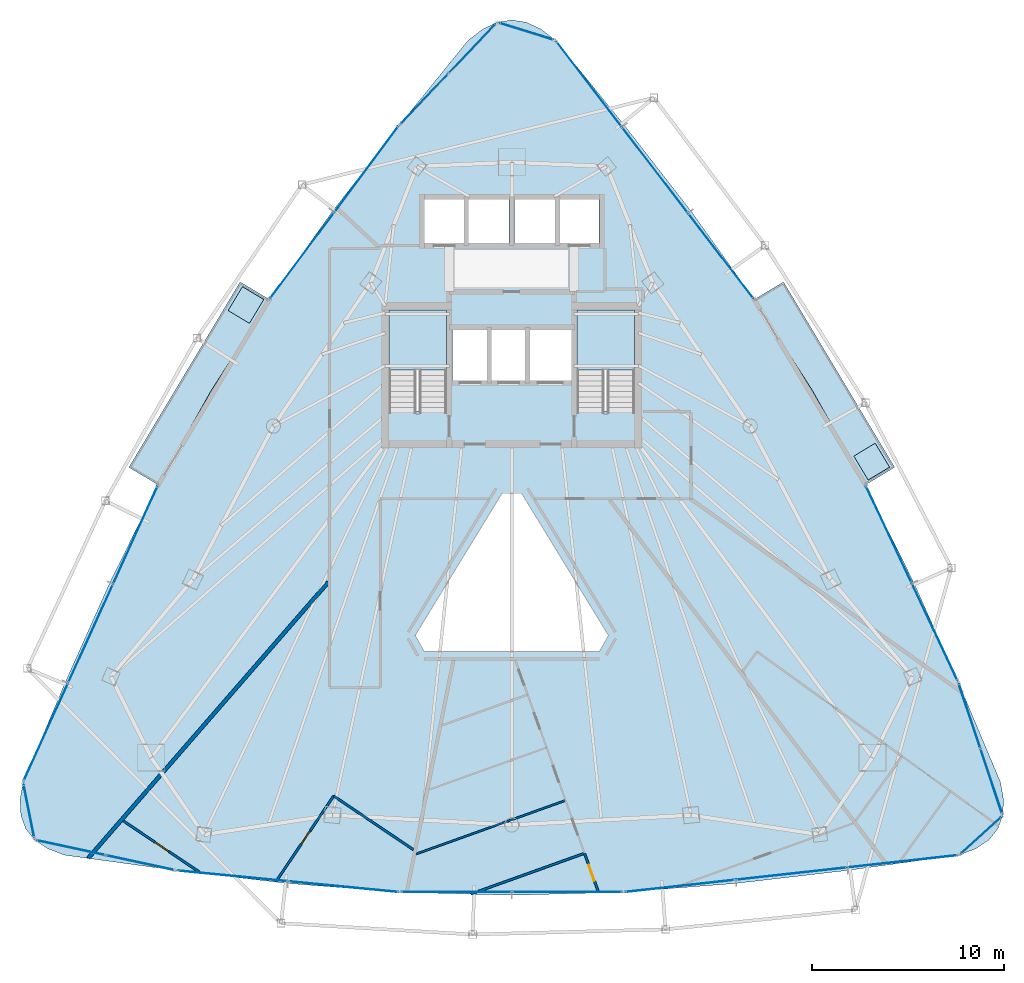
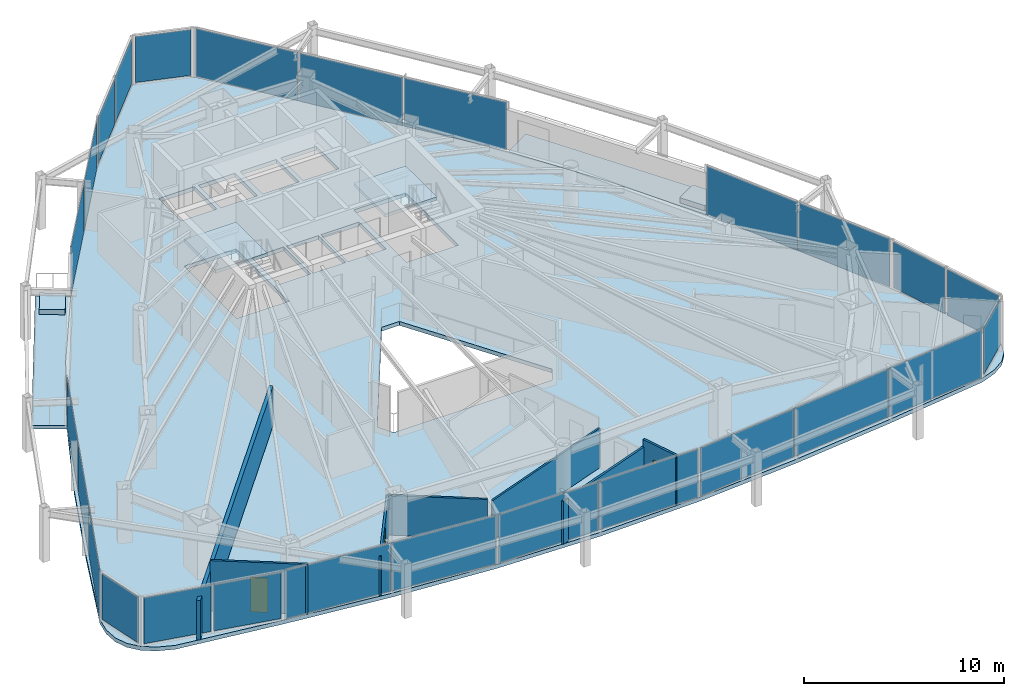
# One storey, part 24 of 30: 26 plates, 7 slabs, 7 walls, 3 doors, 3 openings, 15 elements without a shape of their own.
"""IFC4 building model written with IfcOpenShell, lengths in metres."""

import ifcopenshell
import ifcopenshell.guid

model = None  # the IFC model being written
_history = None  # IfcOwnerHistory: only IFC2X3 demands one
_inside = {}  # id of a spatial element -> (the spatial element, [elements in it])
_under = {}  # id of a project, library or spatial element -> (it, [spatial elements below it])
_declared = {}  # id of a project -> (the project, [libraries it declares])
_typed = {}  # id of a type object -> (the type object, [elements of that type])
_made_of = {}  # id of a material, layer set ... -> (it, [elements and type objects made of it])


def new_model(schema):
    """Start an empty IFC model of exactly this schema.

    Asked for "IFC4X3", IfcOpenShell would pick the latest addendum, in which some entities
    have other attributes; the version numbers below select the first issue.
    IFC2X3 requires an IfcOwnerHistory on every rooted entity: one is made here for all.
    """
    global model, _history
    if schema == "IFC4X3":
        model = ifcopenshell.file(schema_version=(4, 3, 0, 0))
    else:
        model = ifcopenshell.file(schema=schema)
    _inside.clear()
    _under.clear()
    _declared.clear()
    _typed.clear()
    _made_of.clear()
    _history = None
    if model.schema == "IFC2X3":
        org = make("IfcOrganization", Name="unknown")
        user = make(
            "IfcPersonAndOrganization",
            ThePerson=make("IfcPerson", FamilyName="unknown"),
            TheOrganization=org,
        )
        app = make(
            "IfcApplication",
            ApplicationDeveloper=org,
            Version="unknown",
            ApplicationFullName="unknown",
            ApplicationIdentifier="unknown",
        )
        _history = make(
            "IfcOwnerHistory",
            OwningUser=user,
            OwningApplication=app,
            ChangeAction="ADDED",
            CreationDate=0,
        )
    return model


def make(cls, **values):
    """One entity of the class cls with the attributes given. An attribute that is None is left unset."""
    return model.create_entity(
        cls, **{name: value for name, value in values.items() if value is not None}
    )


def rooted(cls, **values):
    """An entity with a GlobalId (a new one), such as an element, a storey or a relation."""
    return make(cls, GlobalId=ifcopenshell.guid.new(), OwnerHistory=_history, **values)


def si_unit(unit_type, name, prefix=None):
    """IfcSIUnit, for example si_unit("LENGTHUNIT", "METRE", prefix="MILLI")."""
    return make("IfcSIUnit", UnitType=unit_type, Prefix=prefix, Name=name)


def assignment(units):
    """IfcUnitAssignment: the units of a project."""
    return None if units is None else make("IfcUnitAssignment", Units=units)


def point(xyz):
    """IfcCartesianPoint."""
    return None if xyz is None else make("IfcCartesianPoint", Coordinates=xyz)


def direction(xyz):
    """IfcDirection."""
    return None if xyz is None else make("IfcDirection", DirectionRatios=xyz)


def frame(location, z_axis=None, x_axis=None):
    """IfcAxis2Placement3D, a coordinate frame: its origin and axes. An axis left out is left unset."""
    return make(
        "IfcAxis2Placement3D",
        Location=point(location),
        Axis=direction(z_axis),
        RefDirection=direction(x_axis),
    )


def frame_2d(location, x_axis=None):
    """IfcAxis2Placement2D, a coordinate frame in the plane: its origin and x axis."""
    return make(
        "IfcAxis2Placement2D", Location=point(location), RefDirection=direction(x_axis)
    )


def origin():
    """The frame at (0, 0, 0) with its axes left unset."""
    return frame((0.0, 0.0, 0.0))


def origin_2d():
    """The frame at (0, 0) in the plane with its x axis left unset."""
    return frame_2d((0.0, 0.0))


def place(relative_to, where):
    """IfcLocalPlacement: puts the frame where relative to a parent placement (None: the world)."""
    return make(
        "IfcLocalPlacement", PlacementRelTo=relative_to, RelativePlacement=where
    )


def context(
    kind, dimensions, precision=None, world=None, true_north=None, identifier=None
):
    """IfcGeometricRepresentationContext, for example the 3D "Model" context."""
    return make(
        "IfcGeometricRepresentationContext",
        ContextIdentifier=identifier,
        ContextType=kind,
        CoordinateSpaceDimension=dimensions,
        Precision=precision,
        WorldCoordinateSystem=world,
        TrueNorth=true_north,
    )


def subcontext(parent, identifier, kind, view, scale=None):
    """IfcGeometricRepresentationSubContext, for example "Body" below "Model"."""
    return make(
        "IfcGeometricRepresentationSubContext",
        ContextIdentifier=identifier,
        ContextType=kind,
        ParentContext=parent,
        TargetScale=scale,
        TargetView=view,
    )


def project(units=None, contexts=None):
    """IfcProject with its units and contexts."""
    return rooted(
        "IfcProject",
        Name="project",
        RepresentationContexts=contexts,
        UnitsInContext=assignment(units),
    )


def spatial(cls, under=None, at=None, **own):
    """A site, building, storey or space (cls), placed at a placement, below another one or the project."""
    s = rooted(cls, ObjectPlacement=at, **own)
    if under is not None:
        _under.setdefault(under.id(), (under, []))[1].append(s)
    return s


def polyline(points):
    """IfcPolyline through the points."""
    return make("IfcPolyline", Points=[point(p) for p in points])


def profile(cls, at=None, kind="AREA", **sizes):
    """A parametric profile (cls). Its sizes go by their IFC names, for example OverallWidth=200.0."""
    return make(cls, ProfileType=kind, Position=at, **sizes)


def rectangle(**sizes):
    """IfcRectangleProfileDef."""
    return profile("IfcRectangleProfileDef", **sizes)


def outline(outer, holes=None, kind="AREA"):
    """IfcArbitraryClosedProfileDef: a profile drawn as a closed curve; with holes, ...WithVoids."""
    if holes is None:
        return make("IfcArbitraryClosedProfileDef", ProfileType=kind, OuterCurve=outer)
    return make(
        "IfcArbitraryProfileDefWithVoids",
        ProfileType=kind,
        OuterCurve=outer,
        InnerCurves=holes,
    )


def extrude(swept, where, along, depth):
    """IfcExtrudedAreaSolid: the profile swept, set in the frame where, extruded along a direction by depth."""
    return make(
        "IfcExtrudedAreaSolid",
        SweptArea=swept,
        Position=where,
        ExtrudedDirection=direction(along),
        Depth=depth,
    )


def shape(context_of_items, identifier, shape_type, items):
    """IfcShapeRepresentation: the items that make up one representation, for example the "Body"."""
    return make(
        "IfcShapeRepresentation",
        ContextOfItems=context_of_items,
        RepresentationIdentifier=identifier,
        RepresentationType=shape_type,
        Items=items,
    )


def material(Name=None, Category=None):
    """IfcMaterial."""
    return make("IfcMaterial", Name=Name, Category=Category)


def layer(
    of_material, thickness, ventilated=None, Name=None, Category=None, Priority=None
):
    """IfcMaterialLayer: one layer of a wall or slab, of a material (None: an air gap)."""
    return make(
        "IfcMaterialLayer",
        Material=of_material,
        LayerThickness=thickness,
        IsVentilated=ventilated,
        Name=Name,
        Category=Category,
        Priority=Priority,
    )


def layer_set(layers, Name=None):
    """IfcMaterialLayerSet."""
    return make("IfcMaterialLayerSet", MaterialLayers=layers, LayerSetName=Name)


def made_of(thing, what):
    """Note that an element or type object is made of a material, layer set ...; save() writes the relation."""
    if what is not None:
        _made_of.setdefault(what.id(), (what, []))[1].append(thing)
    return thing


def type_object(cls, material=None, **own):
    """A type object (cls), such as IfcWallType, which elements share."""
    return made_of(rooted(cls, **own), material)


def element(
    cls,
    number,
    at=None,
    inside=None,
    cuts=None,
    type_object=None,
    material=None,
    context=None,
    identifier="Body",
    shape_type=None,
    held_by="IfcProductDefinitionShape",
    body=None,
    shapes=None,
    **own,
):
    """One element of the class cls, such as IfcWall. Its Tag is "e" and its number.

    at: its placement. inside: the storey or other place that contains it. cuts: it is an
    opening in that element (IfcRelVoidsElement). A single representation is given by context,
    identifier, shape_type and body (its items); several are given by shapes. held_by: the class
    of the entity that holds the representations. save() writes the other relations.
    """
    e = rooted(cls, Tag="e%d" % number, ObjectPlacement=at, **own)
    if body is not None:
        shapes = [shape(context, identifier, shape_type, body)]
    if shapes is not None:
        e.Representation = make(held_by, Representations=shapes)
    if inside is not None:
        _inside.setdefault(inside.id(), (inside, []))[1].append(e)
    if cuts is not None:
        rooted(
            "IfcRelVoidsElement", RelatingBuildingElement=cuts, RelatedOpeningElement=e
        )
    if type_object is not None:
        _typed.setdefault(type_object.id(), (type_object, []))[1].append(e)
    return made_of(e, material)


def fill(opening, filler):
    """IfcRelFillsElement: the door or window that sits in an opening."""
    return rooted(
        "IfcRelFillsElement",
        RelatingOpeningElement=opening,
        RelatedBuildingElement=filler,
    )


def aggregate(whole, parts):
    """IfcRelAggregates: a whole, such as a stair, and the parts it consists of."""
    return rooted("IfcRelAggregates", RelatingObject=whole, RelatedObjects=parts)


def save(model, path):
    """Write the relations noted so far, then the file.

    IfcRelAggregates (storeys below a building ...), IfcRelContainedInSpatialStructure (elements
    in a storey), IfcRelDefinesByType, IfcRelAssociatesMaterial and IfcRelDeclares: one each for
    every whole, place, type object, material and project.
    """
    for whole, parts in _under.values():
        aggregate(whole, parts)
    for where, things in _inside.values():
        rooted(
            "IfcRelContainedInSpatialStructure",
            RelatedElements=things,
            RelatingStructure=where,
        )
    for kind, things in _typed.values():
        rooted("IfcRelDefinesByType", RelatedObjects=things, RelatingType=kind)
    for what, things in _made_of.values():
        rooted("IfcRelAssociatesMaterial", RelatedObjects=things, RelatingMaterial=what)
    for by, libraries in _declared.values():
        rooted("IfcRelDeclares", RelatingContext=by, RelatedDefinitions=libraries)
    model.write(path)


model = new_model("IFC4")

# Units and contexts
model_context = context("Model", 3, precision=1e-05, world=origin(), true_north=direction((0.0, 1.0)))
body_context = subcontext(model_context, "Body", "Model", "MODEL_VIEW")
ifc_project = project(units=[si_unit("LENGTHUNIT", "METRE"), si_unit("AREAUNIT", "SQUARE_METRE"), si_unit("VOLUMEUNIT", "CUBIC_METRE"), si_unit("PLANEANGLEUNIT", "RADIAN"), si_unit("MASSUNIT", "GRAM", prefix="KILO")], contexts=[model_context])

# Site, building, storey
site_placement = place(None, origin())
site = spatial("IfcSite", under=ifc_project, at=site_placement, CompositionType="ELEMENT")
building_placement = place(site_placement, origin())
building = spatial("IfcBuilding", under=site, at=building_placement, Name="Orvanel Arch Residences", CompositionType="ELEMENT")
storey_placement = place(building_placement, frame((0.0, 0.0, 136.39990234375)))
storey = spatial("IfcBuildingStorey", under=building, at=storey_placement, Name="L38", CompositionType="ELEMENT", Elevation=136.39990234375)

# Curtain wall, plates
ifc_material_1 = material(Name="Bronze-anodised aluminium AA6063-T6", Category="aluminium")
ifc_layer_1 = layer(ifc_material_1, 0.179931640625)
ifc_layer_set_1 = layer_set([ifc_layer_1], Name="Bronze-anodised aluminium AA6063-T6")
curtain_wall_type_1 = type_object("IfcCurtainWallType", Name="CW3-MID-SYS", PredefinedType="NOTDEFINED", material=ifc_layer_set_1)
curtain_wall_1_placement = place(storey_placement, origin())
curtain_wall_1 = element("IfcCurtainWall", 1, at=curtain_wall_1_placement, inside=storey, type_object=curtain_wall_type_1, Name="L38 CW3-MID-SYS Unitised Curtain Wall", PredefinedType="NOTDEFINED")
ifc_material_2 = material(Name="Double-glazed solar-control low-E safety glass", Category="glass")
ifc_layer_2 = layer(ifc_material_2, 0.028076171875)
ifc_layer_set_2 = layer_set([ifc_layer_2], Name="Double-glazed solar-control low-E safety glass")
plate_type_1 = type_object("IfcPlateType", Name="PNL-GLZ-28", PredefinedType="CURTAIN_PANEL", material=ifc_layer_set_2)
plate_1_placement = place(storey_placement, frame((25.419677734375, 41.03466796875, 0.06005859375), z_axis=(0.0, 0.0, 1.0), x_axis=(-0.597574003819, -0.801813762641, 0.0)))
plate_1 = element("IfcPlate", 2, at=plate_1_placement, type_object=plate_type_1, Name="CW-S3 panel 1.1", PredefinedType="CURTAIN_PANEL", context=body_context, shape_type="SweptSolid", body=[
    extrude(rectangle(XDim=5.540283203125, YDim=0.028076171875, at=origin_2d()), origin(), (0.0, 0.0, 1.0), 2.93994140625),
])
plate_2_placement = place(storey_placement, frame((22.067138671875, 36.536376953125, 0.06005859375), z_axis=(0.0, 0.0, 1.0), x_axis=(-0.597574003819, -0.801813762641, 0.0)))
plate_2 = element("IfcPlate", 3, at=plate_2_placement, type_object=plate_type_1, Name="CW-S3 panel 2.1", PredefinedType="CURTAIN_PANEL", context=body_context, shape_type="SweptSolid", body=[
    extrude(rectangle(XDim=5.540283203125, YDim=0.028076171875, at=origin_2d()), origin(), (0.0, 0.0, 1.0), 2.93994140625),
])
aggregate(curtain_wall_1, [plate_1, plate_2])

curtain_wall_2_placement = place(storey_placement, origin())
curtain_wall_2 = element("IfcCurtainWall", 4, at=curtain_wall_2_placement, inside=storey, type_object=curtain_wall_type_1, Name="L38 CW3-MID-SYS Unitised Curtain Wall", PredefinedType="NOTDEFINED")
plate_3_placement = place(storey_placement, frame((13.373046875, 21.96533203125, 0.06005859375), z_axis=(0.0, 0.0, 1.0), x_axis=(-0.413621032225, -0.910449142842, 0.0)))
plate_3 = element("IfcPlate", 5, at=plate_3_placement, type_object=plate_type_1, Name="CW-S3 panel 1.1", PredefinedType="CURTAIN_PANEL", context=body_context, shape_type="SweptSolid", body=[
    extrude(rectangle(XDim=5.5556640625, YDim=0.028076171875, at=origin_2d()), origin(), (0.0, 0.0, 1.0), 2.93994140625),
])
plate_4_placement = place(storey_placement, frame((11.0390625, 16.827392578125, 0.06005859375), z_axis=(0.0, 0.0, 1.0), x_axis=(-0.413621032225, -0.910449142842, 0.0)))
plate_4 = element("IfcPlate", 6, at=plate_4_placement, type_object=plate_type_1, Name="CW-S3 panel 2.1", PredefinedType="CURTAIN_PANEL", context=body_context, shape_type="SweptSolid", body=[
    extrude(rectangle(XDim=5.590576171875, YDim=0.028076171875, at=origin_2d()), origin(), (0.0, 0.0, 1.0), 2.93994140625),
])
plate_5_placement = place(storey_placement, frame((8.704833984375, 11.689697265625, 0.06005859375), z_axis=(0.0, 0.0, 1.0), x_axis=(-0.413621032225, -0.910449142842, 0.0)))
plate_5 = element("IfcPlate", 7, at=plate_5_placement, type_object=plate_type_1, Name="CW-S3 panel 3.1", PredefinedType="CURTAIN_PANEL", context=body_context, shape_type="SweptSolid", body=[
    extrude(rectangle(XDim=5.5556640625, YDim=0.028076171875, at=origin_2d()), origin(), (0.0, 0.0, 1.0), 2.93994140625),
])
aggregate(curtain_wall_2, [plate_3, plate_4, plate_5])

curtain_wall_3_placement = place(storey_placement, origin())
curtain_wall_3 = element("IfcCurtainWall", 8, at=curtain_wall_3_placement, inside=storey, type_object=curtain_wall_type_1, Name="L38 CW3-MID-SYS Unitised Curtain Wall", PredefinedType="NOTDEFINED")
plate_6_placement = place(storey_placement, frame((18.449951171875, 4.183349609375, 0.06005859375), z_axis=(0.0, 0.0, 1.0), x_axis=(0.99532295767, -0.096603363992, 0.0)))
plate_6 = element("IfcPlate", 9, at=plate_6_placement, type_object=plate_type_1, Name="CW-S3 panel 1.1", PredefinedType="CURTAIN_PANEL", context=body_context, shape_type="SweptSolid", body=[
    extrude(rectangle(XDim=5.7333984375, YDim=0.028076171875, at=origin_2d()), origin(), (0.0, 0.0, 1.0), 2.93994140625),
])
plate_7_placement = place(storey_placement, frame((24.22607421875, 3.622802734375, 0.06005859375), z_axis=(0.0, 0.0, 1.0), x_axis=(0.99532295767, -0.096603363992, 0.0)))
plate_7 = element("IfcPlate", 10, at=plate_7_placement, type_object=plate_type_1, Name="CW-S3 panel 2.1", PredefinedType="CURTAIN_PANEL", context=body_context, shape_type="SweptSolid", body=[
    extrude(rectangle(XDim=5.7333984375, YDim=0.028076171875, at=origin_2d()), origin(), (0.0, 0.0, 1.0), 2.93994140625),
])
aggregate(curtain_wall_3, [plate_6, plate_7])

curtain_wall_4_placement = place(storey_placement, origin())
curtain_wall_4 = element("IfcCurtainWall", 11, at=curtain_wall_4_placement, inside=storey, type_object=curtain_wall_type_1, Name="L38 CW3-MID-SYS Unitised Curtain Wall", PredefinedType="NOTDEFINED")
plate_8_placement = place(storey_placement, frame((30.112060546875, 3.3369140625, 0.06005859375), z_axis=(0.0, 0.0, 1.0), x_axis=(1.0, 0.0, 0.0)))
plate_8 = element("IfcPlate", 12, at=plate_8_placement, type_object=plate_type_1, Name="CW-S3 panel 1.1", PredefinedType="CURTAIN_PANEL", context=body_context, shape_type="SweptSolid", body=[
    extrude(rectangle(XDim=5.7060546875, YDim=0.028076171875, at=origin_2d()), origin(), (0.0, 0.0, 1.0), 2.93994140625),
])
plate_9_placement = place(storey_placement, frame((35.887939453125, 3.3369140625, 0.06005859375), z_axis=(0.0, 0.0, 1.0), x_axis=(1.0, 0.0, 0.0)))
plate_9 = element("IfcPlate", 13, at=plate_9_placement, type_object=plate_type_1, Name="CW-S3 panel 2.1", PredefinedType="CURTAIN_PANEL", context=body_context, shape_type="SweptSolid", body=[
    extrude(rectangle(XDim=5.7060546875, YDim=0.028076171875, at=origin_2d()), origin(), (0.0, 0.0, 1.0), 2.93994140625),
])
aggregate(curtain_wall_4, [plate_8, plate_9])

curtain_wall_5_placement = place(storey_placement, origin())
curtain_wall_5 = element("IfcCurtainWall", 14, at=curtain_wall_5_placement, inside=storey, type_object=curtain_wall_type_1, Name="L38 CW3-MID-SYS Unitised Curtain Wall", PredefinedType="NOTDEFINED")
plate_10_placement = place(storey_placement, frame((41.77734375, 3.662353515625, 0.06005859375), z_axis=(0.0, 0.0, 1.0), x_axis=(0.993947463376, 0.109856452012, 0.0)))
plate_10 = element("IfcPlate", 15, at=plate_10_placement, type_object=plate_type_1, Name="CW-S3 panel 1.1", PredefinedType="CURTAIN_PANEL", context=body_context, shape_type="SweptSolid", body=[
    extrude(rectangle(XDim=5.748046875, YDim=0.028076171875, at=origin_2d()), origin(), (0.0, 0.0, 1.0), 2.93994140625),
])
plate_11_placement = place(storey_placement, frame((47.577392578125, 4.303466796875, 0.06005859375), z_axis=(0.0, 0.0, 1.0), x_axis=(0.993947463376, 0.109856452012, 0.0)))
plate_11 = element("IfcPlate", 16, at=plate_11_placement, type_object=plate_type_1, Name="CW-S3 panel 2.1", PredefinedType="CURTAIN_PANEL", context=body_context, shape_type="SweptSolid", body=[
    extrude(rectangle(XDim=5.783203125, YDim=0.028076171875, at=origin_2d()), origin(), (0.0, 0.0, 1.0), 2.93994140625),
])
plate_12_placement = place(storey_placement, frame((53.377685546875, 4.944580078125, 0.06005859375), z_axis=(0.0, 0.0, 1.0), x_axis=(0.993947463376, 0.109856452012, 0.0)))
plate_12 = element("IfcPlate", 17, at=plate_12_placement, type_object=plate_type_1, Name="CW-S3 panel 3.1", PredefinedType="CURTAIN_PANEL", context=body_context, shape_type="SweptSolid", body=[
    extrude(rectangle(XDim=5.748046875, YDim=0.028076171875, at=origin_2d()), origin(), (0.0, 0.0, 1.0), 2.93994140625),
])
aggregate(curtain_wall_5, [plate_10, plate_11, plate_12])

curtain_wall_6_placement = place(storey_placement, origin())
curtain_wall_6 = element("IfcCurtainWall", 18, at=curtain_wall_6_placement, inside=storey, type_object=curtain_wall_type_1, Name="L38 CW3-MID-SYS Unitised Curtain Wall", PredefinedType="NOTDEFINED")
plate_13_placement = place(storey_placement, frame((55.050048828125, 16.91259765625, 0.06005859375), z_axis=(0.0, 0.0, 1.0), x_axis=(-0.426010289326, 0.904718317151, 0.0)))
plate_13 = element("IfcPlate", 19, at=plate_13_placement, type_object=plate_type_1, Name="CW-S3 panel 1.1", PredefinedType="CURTAIN_PANEL", context=body_context, shape_type="SweptSolid", body=[
    extrude(rectangle(XDim=5.540283203125, YDim=0.028076171875, at=origin_2d()), origin(), (0.0, 0.0, 1.0), 2.93994140625),
])
plate_14_placement = place(storey_placement, frame((52.659912109375, 21.988525390625, 0.06005859375), z_axis=(0.0, 0.0, 1.0), x_axis=(-0.426010289326, 0.904718317151, 0.0)))
plate_14 = element("IfcPlate", 20, at=plate_14_placement, type_object=plate_type_1, Name="CW-S3 panel 2.1", PredefinedType="CURTAIN_PANEL", context=body_context, shape_type="SweptSolid", body=[
    extrude(rectangle(XDim=5.540283203125, YDim=0.028076171875, at=origin_2d()), origin(), (0.0, 0.0, 1.0), 2.93994140625),
])
aggregate(curtain_wall_6, [plate_13, plate_14])

curtain_wall_7_placement = place(storey_placement, origin())
curtain_wall_7 = element("IfcCurtainWall", 21, at=curtain_wall_7_placement, inside=storey, type_object=curtain_wall_type_1, Name="L38 CW3-MID-SYS Unitised Curtain Wall", PredefinedType="NOTDEFINED")
plate_15_placement = place(storey_placement, frame((43.897216796875, 36.518798828125, 0.06005859375), z_axis=(0.0, 0.0, 1.0), x_axis=(-0.608511901478, 0.793544747169, 0.0)))
plate_15 = element("IfcPlate", 22, at=plate_15_placement, type_object=plate_type_1, Name="CW-S3 panel 1.1", PredefinedType="CURTAIN_PANEL", context=body_context, shape_type="SweptSolid", body=[
    extrude(rectangle(XDim=5.55517578125, YDim=0.028076171875, at=origin_2d()), origin(), (0.0, 0.0, 1.0), 2.93994140625),
])
plate_16_placement = place(storey_placement, frame((40.46337890625, 40.99658203125, 0.06005859375), z_axis=(0.0, 0.0, 1.0), x_axis=(-0.608511901478, 0.793544747169, 0.0)))
plate_16 = element("IfcPlate", 23, at=plate_16_placement, type_object=plate_type_1, Name="CW-S3 panel 2.1", PredefinedType="CURTAIN_PANEL", context=body_context, shape_type="SweptSolid", body=[
    extrude(rectangle(XDim=5.59033203125, YDim=0.028076171875, at=origin_2d()), origin(), (0.0, 0.0, 1.0), 2.93994140625),
])
plate_17_placement = place(storey_placement, frame((37.02978515625, 45.474365234375, 0.06005859375), z_axis=(0.0, 0.0, 1.0), x_axis=(-0.608511901478, 0.793544747169, 0.0)))
plate_17 = element("IfcPlate", 24, at=plate_17_placement, type_object=plate_type_1, Name="CW-S3 panel 3.1", PredefinedType="CURTAIN_PANEL", context=body_context, shape_type="SweptSolid", body=[
    extrude(rectangle(XDim=5.55517578125, YDim=0.028076171875, at=origin_2d()), origin(), (0.0, 0.0, 1.0), 2.93994140625),
])
aggregate(curtain_wall_7, [plate_15, plate_16, plate_17])

# Curtain wall, plate
ifc_layer_3 = layer(ifc_material_1, 0.18994140625)
ifc_layer_set_3 = layer_set([ifc_layer_3], Name="Bronze-anodised aluminium AA6063-T6")
curtain_wall_type_2 = type_object("IfcCurtainWallType", Name="CW5-CRN-SYS", PredefinedType="NOTDEFINED", material=ifc_layer_set_3)
curtain_wall_8_placement = place(storey_placement, origin())
curtain_wall_8 = element("IfcCurtainWall", 25, at=curtain_wall_8_placement, inside=storey, type_object=curtain_wall_type_2, Name="L38 CW5-CRN-SYS Unitised Curtain Wall", PredefinedType="NOTDEFINED")
ifc_layer_4 = layer(ifc_material_2, 0.031982421875)
ifc_layer_set_4 = layer_set([ifc_layer_4], Name="Double-glazed solar-control low-E safety glass")
plate_type_2 = type_object("IfcPlateType", Name="PNL-GLZ-32", PredefinedType="CURTAIN_PANEL", material=ifc_layer_set_4)
plate_18_placement = place(storey_placement, frame((33.761474609375, 48.22412109375, 0.1298828125), z_axis=(0.0, 0.0, 1.0), x_axis=(-0.954868777514, 0.297027974658, 0.0)))
plate_18 = element("IfcPlate", 26, at=plate_18_placement, type_object=plate_type_2, Name="CW-S5 panel 1.1", PredefinedType="CURTAIN_PANEL", context=body_context, shape_type="SweptSolid", body=[
    extrude(rectangle(XDim=2.851318359375, YDim=0.031982421875, at=origin_2d()), origin(), (0.0, 0.0, 1.0), 2.800048828125),
])
aggregate(curtain_wall_8, [plate_18])

# Curtain wall, plates
curtain_wall_9_placement = place(storey_placement, origin())
curtain_wall_9 = element("IfcCurtainWall", 27, at=curtain_wall_9_placement, inside=storey, type_object=curtain_wall_type_2, Name="L38 CW5-CRN-SYS Unitised Curtain Wall", PredefinedType="NOTDEFINED")
plate_19_placement = place(storey_placement, frame((30.927978515625, 47.3212890625, 0.1298828125), z_axis=(0.0, 0.0, 1.0), x_axis=(-0.689184239902, -0.724586146342, 0.0)))
plate_19 = element("IfcPlate", 28, at=plate_19_placement, type_object=plate_type_2, Name="CW-S5 panel 1.1", PredefinedType="CURTAIN_PANEL", context=body_context, shape_type="SweptSolid", body=[
    extrude(rectangle(XDim=3.461181640625, YDim=0.031982421875, at=origin_2d()), origin(), (0.0, 0.0, 1.0), 2.800048828125),
])
plate_20_placement = place(storey_placement, frame((28.439208984375, 44.70458984375, 0.1298828125), z_axis=(0.0, 0.0, 1.0), x_axis=(-0.689184239902, -0.724586146342, 0.0)))
plate_20 = element("IfcPlate", 29, at=plate_20_placement, type_object=plate_type_2, Name="CW-S5 panel 2.1", PredefinedType="CURTAIN_PANEL", context=body_context, shape_type="SweptSolid", body=[
    extrude(rectangle(XDim=3.461181640625, YDim=0.031982421875, at=origin_2d()), origin(), (0.0, 0.0, 1.0), 2.800048828125),
])
aggregate(curtain_wall_9, [plate_19, plate_20])

# Curtain wall, plate
curtain_wall_10_placement = place(storey_placement, origin())
curtain_wall_10 = element("IfcCurtainWall", 30, at=curtain_wall_10_placement, inside=storey, type_object=curtain_wall_type_2, Name="L38 CW5-CRN-SYS Unitised Curtain Wall", PredefinedType="NOTDEFINED")
plate_21_placement = place(storey_placement, frame((7.819580078125, 7.572509765625, 0.1298828125), z_axis=(0.0, 0.0, 1.0), x_axis=(0.195608627675, -0.980682040612, 0.0)))
plate_21 = element("IfcPlate", 31, at=plate_21_placement, type_object=plate_type_2, Name="CW-S5 panel 1.1", PredefinedType="CURTAIN_PANEL", context=body_context, shape_type="SweptSolid", body=[
    extrude(rectangle(XDim=2.7314453125, YDim=0.031982421875, at=origin_2d()), origin(), (0.0, 0.0, 1.0), 2.800048828125),
])
aggregate(curtain_wall_10, [plate_21])

# Curtain wall, plates
curtain_wall_11_placement = place(storey_placement, origin())
curtain_wall_11 = element("IfcCurtainWall", 32, at=curtain_wall_11_placement, inside=storey, type_object=curtain_wall_type_2, Name="L38 CW5-CRN-SYS Unitised Curtain Wall", PredefinedType="NOTDEFINED")
plate_22_placement = place(storey_placement, frame((10.013427734375, 5.65673828125, 0.1298828125), z_axis=(0.0, 0.0, 1.0), x_axis=(0.977401537989, -0.211391186041, 0.0)))
plate_22 = element("IfcPlate", 33, at=plate_22_placement, type_object=plate_type_2, Name="CW-S5 panel 1.1", PredefinedType="CURTAIN_PANEL", context=body_context, shape_type="SweptSolid", body=[
    extrude(rectangle(XDim=3.533447265625, YDim=0.031982421875, at=origin_2d()), origin(), (0.0, 0.0, 1.0), 2.800048828125),
])
plate_23_placement = place(storey_placement, frame((13.613525390625, 4.878173828125, 0.1298828125), z_axis=(0.0, 0.0, 1.0), x_axis=(0.977401537989, -0.211391186041, 0.0)))
plate_23 = element("IfcPlate", 34, at=plate_23_placement, type_object=plate_type_2, Name="CW-S5 panel 2.1", PredefinedType="CURTAIN_PANEL", context=body_context, shape_type="SweptSolid", body=[
    extrude(rectangle(XDim=3.533447265625, YDim=0.031982421875, at=origin_2d()), origin(), (0.0, 0.0, 1.0), 2.800048828125),
])
aggregate(curtain_wall_11, [plate_22, plate_23])

# Curtain wall, plate
curtain_wall_12_placement = place(storey_placement, origin())
curtain_wall_12 = element("IfcCurtainWall", 35, at=curtain_wall_12_placement, inside=storey, type_object=curtain_wall_type_2, Name="L38 CW5-CRN-SYS Unitised Curtain Wall", PredefinedType="NOTDEFINED")
plate_24_placement = place(storey_placement, frame((57.46142578125, 6.302978515625, 0.1298828125), z_axis=(0.0, 0.0, 1.0), x_axis=(0.740089223129, 0.672508692738, 0.0)))
plate_24 = element("IfcPlate", 36, at=plate_24_placement, type_object=plate_type_2, Name="CW-S5 panel 1.1", PredefinedType="CURTAIN_PANEL", context=body_context, shape_type="SweptSolid", body=[
    extrude(rectangle(XDim=2.7333984375, YDim=0.031982421875, at=origin_2d()), origin(), (0.0, 0.0, 1.0), 2.800048828125),
])
aggregate(curtain_wall_12, [plate_24])

# Curtain wall, plates
curtain_wall_13_placement = place(storey_placement, origin())
curtain_wall_13 = element("IfcCurtainWall", 37, at=curtain_wall_13_placement, inside=storey, type_object=curtain_wall_type_2, Name="L38 CW5-CRN-SYS Unitised Curtain Wall", PredefinedType="NOTDEFINED")
plate_25_placement = place(storey_placement, frame((58.001708984375, 9.12841796875, 0.1298828125), z_axis=(0.0, 0.0, 1.0), x_axis=(-0.316350591471, 0.948642347398, 0.0)))
plate_25 = element("IfcPlate", 38, at=plate_25_placement, type_object=plate_type_2, Name="CW-S5 panel 1.1", PredefinedType="CURTAIN_PANEL", context=body_context, shape_type="SweptSolid", body=[
    extrude(rectangle(XDim=3.438720703125, YDim=0.031982421875, at=origin_2d()), origin(), (0.0, 0.0, 1.0), 2.800048828125),
])
plate_26_placement = place(storey_placement, frame((56.866455078125, 12.53271484375, 0.1298828125), z_axis=(0.0, 0.0, 1.0), x_axis=(-0.316350591471, 0.948642347398, 0.0)))
plate_26 = element("IfcPlate", 39, at=plate_26_placement, type_object=plate_type_2, Name="CW-S5 panel 2.1", PredefinedType="CURTAIN_PANEL", context=body_context, shape_type="SweptSolid", body=[
    extrude(rectangle(XDim=3.438720703125, YDim=0.031982421875, at=origin_2d()), origin(), (0.0, 0.0, 1.0), 2.800048828125),
])
aggregate(curtain_wall_13, [plate_25, plate_26])

# Slabs
ifc_material_3 = material(Name="Concrete N40 (40 MPa)", Category="concrete")
ifc_layer_5 = layer(ifc_material_3, 0.215087890625)
ifc_layer_set_5 = layer_set([ifc_layer_5], Name="Concrete N40 (40 MPa)")
slab_type_1 = type_object("IfcSlabType", Name="SLB-BAL-215", PredefinedType="FLOOR", material=ifc_layer_set_5)
slab_1_placement = place(storey_placement, frame((0.0, 0.0, -0.21484375)))
element("IfcSlab", 40, at=slab_1_placement, inside=storey, type_object=slab_type_1, Name="L38 Cantilevered Balcony Slab Face 3", PredefinedType="FLOOR", context=body_context, shape_type="SweptSolid", body=[
    extrude(outline(polyline([(52.967041015625, 25.490966796875), (47.16796875, 35.158935546875), (45.64208984375, 34.242919921875), (48.677978515625, 29.490966796875), (51.44091796875, 24.575927734375), (52.967041015625, 25.490966796875)])), origin(), (0.0, 0.0, 1.0), 0.21484375),
])
slab_2_placement = place(storey_placement, frame((0.0, 0.0, -0.21484375)))
element("IfcSlab", 41, at=slab_2_placement, inside=storey, type_object=slab_type_1, Name="L38 Cantilevered Balcony Slab Face 1", PredefinedType="FLOOR", context=body_context, shape_type="SweptSolid", body=[
    extrude(outline(polyline([(18.83203125, 35.158935546875), (13.032958984375, 25.490966796875), (14.55908203125, 24.575927734375), (17.322021484375, 29.490966796875), (20.35791015625, 34.242919921875), (18.83203125, 35.158935546875)])), origin(), (0.0, 0.0, 1.0), 0.21484375),
])

# Stair, slab
ifc_material_4 = material(Name="Precast concrete N50 (50 MPa)", Category="concrete")
stair_type = type_object("IfcStairType", Name="STR-DOG-184", PredefinedType="USERDEFINED", material=ifc_material_4)
stair_1_placement = place(storey_placement, origin())
stair_1 = element("IfcStair", 42, at=stair_1_placement, inside=storey, type_object=stair_type, Name="L38 Fire-Isolated Core Exit Stair 1", ObjectType="TWO_RETURN_STAIR", PredefinedType="USERDEFINED")
ifc_layer_6 = layer(ifc_material_3, 0.199951171875)
ifc_layer_set_6 = layer_set([ifc_layer_6], Name="Concrete N40 (40 MPa)")
slab_type_2 = type_object("IfcSlabType", Name="SLB-LND-200", PredefinedType="LANDING", material=ifc_layer_set_6)
slab_3_placement = place(storey_placement, frame((0.0, 0.0, 1.4501953125)))
slab_3 = element("IfcSlab", 43, at=slab_3_placement, type_object=slab_type_2, Name="ST-1 landing 1", PredefinedType="LANDING", context=body_context, shape_type="SweptSolid", body=[
    extrude(outline(polyline([(29.60009765625, 30.56005859375), (29.60009765625, 33.699951171875), (26.60009765625, 33.699951171875), (26.60009765625, 30.56005859375), (29.60009765625, 30.56005859375)])), origin(), (0.0, 0.0, 1.0), 0.199951171875),
])
aggregate(stair_1, [slab_3])

stair_2_placement = place(storey_placement, origin())
stair_2 = element("IfcStair", 44, at=stair_2_placement, inside=storey, type_object=stair_type, Name="L38 Fire-Isolated Core Exit Stair 2", ObjectType="TWO_RETURN_STAIR", PredefinedType="USERDEFINED")
slab_4_placement = place(storey_placement, frame((0.0, 0.0, 1.4501953125)))
slab_4 = element("IfcSlab", 45, at=slab_4_placement, type_object=slab_type_2, Name="ST-2 landing 1", PredefinedType="LANDING", context=body_context, shape_type="SweptSolid", body=[
    extrude(outline(polyline([(39.39990234375, 30.56005859375), (39.39990234375, 33.699951171875), (36.39990234375, 33.699951171875), (36.39990234375, 30.56005859375), (39.39990234375, 30.56005859375)])), origin(), (0.0, 0.0, 1.0), 0.199951171875),
])
aggregate(stair_2, [slab_4])

# Slabs
ifc_material_5 = material(Name="Structural architectural precast concrete N40 (40 MPa) planter", Category="concrete")
ifc_layer_7 = layer(ifc_material_5, 0.320068359375)
ifc_layer_set_7 = layer_set([ifc_layer_7], Name="Structural architectural precast concrete N40 (40 MPa) planter")
slab_type_3 = type_object("IfcSlabType", Name="SLB-PLN-320", PredefinedType="USERDEFINED", material=ifc_layer_set_7)
slab_5_placement = place(storey_placement, origin())
element("IfcSlab", 46, at=slab_5_placement, inside=storey, type_object=slab_type_3, Name="L38 Balcony TREE PLANTER Face 3", ObjectType="PLANTER", PredefinedType="USERDEFINED", context=body_context, shape_type="SweptSolid", body=[
    extrude(outline(polyline([(52.693115234375, 25.501953125), (51.947021484375, 26.7451171875), (50.83203125, 26.075927734375), (51.577880859375, 24.8330078125), (52.693115234375, 25.501953125)])), origin(), (0.0, 0.0, 1.0), 0.320068359375),
])
slab_6_placement = place(storey_placement, origin())
element("IfcSlab", 47, at=slab_6_placement, inside=storey, type_object=slab_type_3, Name="L38 Balcony TREE PLANTER Face 1", ObjectType="PLANTER", PredefinedType="USERDEFINED", context=body_context, shape_type="SweptSolid", body=[
    extrude(outline(polyline([(18.951904296875, 34.912109375), (18.2060546875, 33.6689453125), (19.321044921875, 33.0), (20.06689453125, 34.242919921875), (18.951904296875, 34.912109375)])), origin(), (0.0, 0.0, 1.0), 0.320068359375),
])
ifc_layer_8 = layer(ifc_material_3, 0.239990234375)
ifc_layer_set_8 = layer_set([ifc_layer_8], Name="Concrete N40 (40 MPa)")
slab_type_4 = type_object("IfcSlabType", Name="SLB-TYP-240", PredefinedType="FLOOR", material=ifc_layer_set_8)
slab_7_placement = place(storey_placement, frame((0.0, 0.0, -0.239990234375)))
element("IfcSlab", 48, at=slab_7_placement, inside=storey, type_object=slab_type_4, Name="L38 Tower Floor Slab", PredefinedType="FLOOR", context=body_context, shape_type="SweptSolid", body=[
    extrude(outline(polyline([(35.284912109375, 47.75), (34.52294921875, 48.343017578125), (33.761962890625, 48.697998046875), (33.0, 48.81689453125), (32.238037109375, 48.697998046875), (31.47705078125, 48.343017578125), (30.715087890625, 47.75), (27.12890625, 43.327880859375), (23.64697265625, 38.843994140625), (20.35791015625, 34.242919921875), (17.322021484375, 29.490966796875), (14.55908203125, 24.575927734375), (12.049072265625, 19.508056640625), (9.73193359375, 14.324951171875), (7.51904296875, 9.0791015625), (7.35498046875, 8.14794921875), (7.40087890625, 7.3359375), (7.655029296875, 6.64208984375), (8.1201171875, 6.06591796875), (8.79296875, 5.60888671875), (9.676025390625, 5.27001953125), (15.507080078125, 4.468994140625), (21.337890625, 3.791015625), (27.1689453125, 3.3369140625), (33.0, 3.177978515625), (38.8310546875, 3.3369140625), (44.662109375, 3.791015625), (50.492919921875, 4.468994140625), (56.323974609375, 5.27001953125), (57.20703125, 5.60888671875), (57.8798828125, 6.06591796875), (58.343994140625, 6.64208984375), (58.59912109375, 7.3359375), (58.64501953125, 8.14794921875), (58.48095703125, 9.0791015625), (56.26904296875, 14.324951171875), (53.950927734375, 19.508056640625), (51.44091796875, 24.575927734375), (48.677978515625, 29.490966796875), (45.64208984375, 34.242919921875), (42.35302734375, 38.843994140625), (38.87109375, 43.327880859375), (35.284912109375, 47.75)]), holes=[polyline([(26.60009765625, 28.429931640625), (26.60009765625, 33.699951171875), (29.60009765625, 33.699951171875), (29.60009765625, 28.429931640625), (26.60009765625, 28.429931640625)]), polyline([(36.39990234375, 28.429931640625), (36.39990234375, 33.699951171875), (39.39990234375, 33.699951171875), (39.39990234375, 28.429931640625), (36.39990234375, 28.429931640625)]), polyline([(29.89990234375, 32.64990234375), (31.75, 32.64990234375), (31.75, 29.949951171875), (29.89990234375, 29.949951171875), (29.89990234375, 32.64990234375)]), polyline([(31.89990234375, 32.64990234375), (33.75, 32.64990234375), (33.75, 29.949951171875), (31.89990234375, 29.949951171875), (31.89990234375, 32.64990234375)]), polyline([(33.89990234375, 32.64990234375), (36.10009765625, 32.64990234375), (36.10009765625, 29.949951171875), (33.89990234375, 29.949951171875), (33.89990234375, 32.64990234375)]), polyline([(28.449951171875, 39.449951171875), (30.5, 39.449951171875), (30.5, 37.199951171875), (28.449951171875, 37.199951171875), (28.449951171875, 39.449951171875)]), polyline([(35.5, 39.449951171875), (37.550048828125, 39.449951171875), (37.550048828125, 37.199951171875), (35.5, 37.199951171875), (35.5, 39.449951171875)]), polyline([(30.75, 39.449951171875), (32.85009765625, 39.449951171875), (32.85009765625, 37.199951171875), (30.75, 37.199951171875), (30.75, 39.449951171875)]), polyline([(33.14990234375, 39.449951171875), (35.25, 39.449951171875), (35.25, 37.199951171875), (33.14990234375, 37.199951171875), (33.14990234375, 39.449951171875)]), polyline([(38.0419921875, 16.72705078125), (37.573974609375, 15.89111328125), (28.426025390625, 15.89111328125), (27.9580078125, 16.72705078125), (32.489013671875, 24.138916015625), (33.510986328125, 24.138916015625), (38.0419921875, 16.72705078125)])]), origin(), (0.0, 0.0, 1.0), 0.239990234375),
])

# Walls
ifc_material_6 = material(Name="Fire-rated plasterboard lined steel stud partition", Category="steel")
ifc_layer_9 = layer(ifc_material_6, 0.199951171875)
ifc_layer_set_9 = layer_set([ifc_layer_9], Name="Fire-rated plasterboard lined steel stud partition")
wall_type_1 = type_object("IfcWallType", Name="W-DEM-200", PredefinedType="PARTITIONING", material=ifc_layer_set_9)
wall_1_placement = place(storey_placement, frame((23.43994140625, 19.511962890625, 0.0), z_axis=(0.0, 0.0, 1.0), x_axis=(-0.656359216658, -0.754448526215, 0.0)))
element("IfcWall", 49, at=wall_1_placement, inside=storey, type_object=wall_type_1, Name="L38 Inter-Tenancy Acoustic Demising Wall", PredefinedType="PARTITIONING", context=body_context, shape_type="SweptSolid", body=[
    extrude(rectangle(XDim=19.08544921875, YDim=0.199951171875, at=frame_2d((9.542724609375, 0.0))), origin(), (0.0, 0.0, 1.0), 2.4130859375),
])
ifc_material_7 = material(Name="Acoustic plasterboard lined twin-stud partition", Category="gypsum")
ifc_layer_10 = layer(ifc_material_7, 0.10009765625)
ifc_layer_set_10 = layer_set([ifc_layer_10], Name="Acoustic plasterboard lined twin-stud partition")
wall_type_2 = type_object("IfcWallType", Name="W-INT-100", PredefinedType="PARTITIONING", material=ifc_layer_set_10)
wall_2_placement = place(storey_placement, frame((28.008056640625, 5.327880859375, 0.0), z_axis=(0.0, 0.0, 1.0), x_axis=(0.941323677897, 0.337505160599, 0.0)))
element("IfcWall", 50, at=wall_2_placement, inside=storey, type_object=wall_type_2, Name="L38 Flat A Internal Partition", PredefinedType="PARTITIONING", context=body_context, shape_type="SweptSolid", body=[
    extrude(rectangle(XDim=8.28173828125, YDim=0.10009765625, at=frame_2d((4.140869140625, 0.0))), origin(), (0.0, 0.0, 1.0), 2.4130859375),
])

# Wall, opening, door
ifc_layer_11 = layer(ifc_material_7, 0.1201171875)
ifc_layer_set_11 = layer_set([ifc_layer_11], Name="Acoustic plasterboard lined twin-stud partition")
wall_type_3 = type_object("IfcWallType", Name="W-WET-120", PredefinedType="PARTITIONING", material=ifc_layer_set_11)
wall_3_placement = place(storey_placement, frame((37.527099609375, 3.31494140625, 0.0), z_axis=(0.0, 0.0, 1.0), x_axis=(-0.337393850622, 0.9413635799, 0.0)))
wall_3 = element("IfcWall", 51, at=wall_3_placement, inside=storey, type_object=wall_type_3, Name="L38 Flat A Internal Partition", PredefinedType="PARTITIONING", context=body_context, shape_type="SweptSolid", body=[
    extrude(rectangle(XDim=2.1787109375, YDim=0.1201171875, at=frame_2d((1.08935546875, 0.0))), origin(), (0.0, 0.0, 1.0), 3.06005859375),
])
opening_1_placement = place(wall_3_placement, frame((0.64892578125, 0.0, 0.0)))
opening_1 = element("IfcOpeningElement", 52, at=opening_1_placement, cuts=wall_3, Name="Opening DI-088", PredefinedType="OPENING", context=body_context, shape_type="SweptSolid", body=[
    extrude(rectangle(XDim=0.8798828125, YDim=2.10009765625, at=frame_2d((0.43994140625, 1.050048828125))), frame((0.0, 0.070068359375, 0.0), z_axis=(0.0, -1.0, 0.0), x_axis=(1.0, 0.0, 0.0)), (0.0, 0.0, 1.0), 0.14013671875),
])
ifc_material_8 = material(Name="Solid-core European oak veneer fire door leaf", Category="wood")
door_type_1 = type_object("IfcDoorType", Name="DR-INT-880", OperationType="NOTDEFINED", PredefinedType="DOOR", material=ifc_material_8)
door_1_placement = place(opening_1_placement, origin())
door_1 = element("IfcDoor", 53, at=door_1_placement, inside=storey, type_object=door_type_1, Name="DR-L38-A-KIT L38 Flat A Kitchen Door", OperationType="SINGLE_SWING_LEFT", OverallHeight=2.10009765625, OverallWidth=0.8798828125, PredefinedType="DOOR", context=body_context, shape_type="SweptSolid", body=[
    extrude(rectangle(XDim=0.8798828125, YDim=2.10009765625, at=frame_2d((0.43994140625, 1.050048828125))), frame((0.0, 0.02490234375, 0.0), z_axis=(0.0, -1.0, 0.0), x_axis=(1.0, 0.0, 0.0)), (0.0, 0.0, 1.0), 0.050048828125),
])
fill(opening_1, door_1)

# Walls
wall_4_placement = place(storey_placement, frame((30.864990234375, 3.240966796875, 0.0), z_axis=(0.0, 0.0, 1.0), x_axis=(0.941328015911, 0.337493061354, 0.0)))
element("IfcWall", 54, at=wall_4_placement, inside=storey, type_object=wall_type_3, Name="L38 Flat A Internal Partition", PredefinedType="PARTITIONING", context=body_context, shape_type="SweptSolid", body=[
    extrude(rectangle(XDim=6.29638671875, YDim=0.1201171875, at=frame_2d((3.148193359375, 0.0))), origin(), (0.0, 0.0, 1.0), 2.619140625),
])
wall_5_placement = place(storey_placement, frame((27.87890625, 5.548095703125, 0.0), z_axis=(0.0, 0.0, 1.0), x_axis=(-0.829629274352, 0.558314666777, 0.0)))
element("IfcWall", 55, at=wall_5_placement, inside=storey, type_object=wall_type_3, Name="L38 Studio D Bathroom Partition", PredefinedType="PARTITIONING", context=body_context, shape_type="SweptSolid", body=[
    extrude(rectangle(XDim=5.02734375, YDim=0.1201171875, at=frame_2d((2.513671875, 0.0))), origin(), (0.0, 0.0, 1.0), 2.4130859375),
])

# Wall, opening, door
wall_6_placement = place(storey_placement, frame((23.7080078125, 8.35498046875, 0.0), z_axis=(0.0, 0.0, 1.0), x_axis=(-0.55815233332, -0.829738496642, 0.0)))
wall_6 = element("IfcWall", 56, at=wall_6_placement, inside=storey, type_object=wall_type_3, Name="L38 Studio D Bathroom Partition", PredefinedType="PARTITIONING", context=body_context, shape_type="SweptSolid", body=[
    extrude(rectangle(XDim=5.39453125, YDim=0.1201171875, at=frame_2d((2.697265625, 0.0))), origin(), (0.0, 0.0, 1.0), 2.4130859375),
])
opening_2_placement = place(wall_6_placement, frame((2.18994140625, 0.0, 0.0)))
opening_2 = element("IfcOpeningElement", 57, at=opening_2_placement, cuts=wall_6, Name="Opening DW-082", PredefinedType="OPENING", context=body_context, shape_type="SweptSolid", body=[
    extrude(rectangle(XDim=0.820068359375, YDim=2.10009765625, at=frame_2d((0.41015625, 1.050048828125))), frame((0.0, 0.070068359375, 0.0), z_axis=(0.0, -1.0, 0.0), x_axis=(1.0, 0.0, 0.0)), (0.0, 0.0, 1.0), 0.14013671875),
])
door_type_2 = type_object("IfcDoorType", Name="DR-WET-820", OperationType="NOTDEFINED", PredefinedType="DOOR", material=ifc_material_8)
door_2_placement = place(opening_2_placement, origin())
door_2 = element("IfcDoor", 58, at=door_2_placement, inside=storey, type_object=door_type_2, Name="DR-L38-D-BATH L38 Studio D Bathroom Door", OperationType="SINGLE_SWING_RIGHT", OverallHeight=2.10009765625, OverallWidth=0.820068359375, PredefinedType="DOOR", context=body_context, shape_type="SweptSolid", body=[
    extrude(rectangle(XDim=0.820068359375, YDim=2.10009765625, at=frame_2d((0.41015625, 1.050048828125))), frame((0.0, 0.02490234375, 0.0), z_axis=(0.0, -1.0, 0.0), x_axis=(1.0, 0.0, 0.0)), (0.0, 0.0, 1.0), 0.050048828125),
])
fill(opening_2, door_2)

wall_7_placement = place(storey_placement, frame((16.800048828125, 4.325927734375, 0.0), z_axis=(0.0, 0.0, 1.0), x_axis=(-0.829756434678, 0.558125666056, 0.0)))
wall_7 = element("IfcWall", 59, at=wall_7_placement, inside=storey, type_object=wall_type_3, Name="L38 Studio D Internal Partition", PredefinedType="PARTITIONING", context=body_context, shape_type="SweptSolid", body=[
    extrude(rectangle(XDim=4.9111328125, YDim=0.1201171875, at=frame_2d((2.45556640625, 0.0))), origin(), (0.0, 0.0, 1.0), 3.06005859375),
])
opening_3_placement = place(wall_7_placement, frame((2.01611328125, 0.0, 0.0)))
opening_3 = element("IfcOpeningElement", 60, at=opening_3_placement, cuts=wall_7, Name="Opening DI-088", PredefinedType="OPENING", context=body_context, shape_type="SweptSolid", body=[
    extrude(rectangle(XDim=0.8798828125, YDim=2.10009765625, at=frame_2d((0.43994140625, 1.050048828125))), frame((0.0, 0.070068359375, 0.0), z_axis=(0.0, -1.0, 0.0), x_axis=(1.0, 0.0, 0.0)), (0.0, 0.0, 1.0), 0.14013671875),
])
door_3_placement = place(opening_3_placement, origin())
door_3 = element("IfcDoor", 61, at=door_3_placement, inside=storey, type_object=door_type_1, Name="DR-L38-D-KIT L38 Studio D Kitchenette Door", OperationType="SINGLE_SWING_LEFT", OverallHeight=2.10009765625, OverallWidth=0.8798828125, PredefinedType="DOOR", context=body_context, shape_type="SweptSolid", body=[
    extrude(rectangle(XDim=0.8798828125, YDim=2.10009765625, at=frame_2d((0.43994140625, 1.050048828125))), frame((0.0, 0.02490234375, 0.0), z_axis=(0.0, -1.0, 0.0), x_axis=(1.0, 0.0, 0.0)), (0.0, 0.0, 1.0), 0.050048828125),
])
fill(opening_3, door_3)

save(model, "model.ifc")
